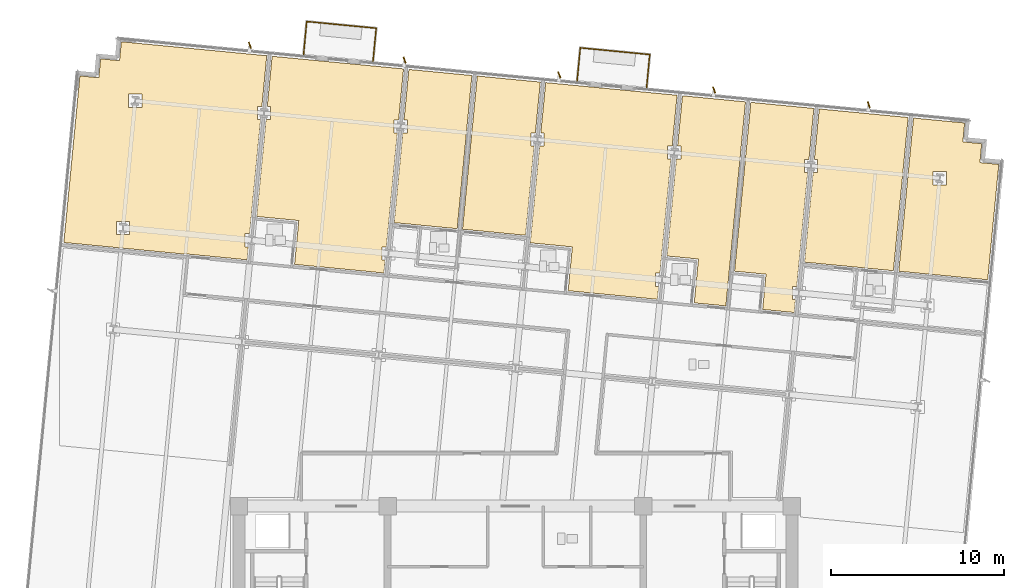
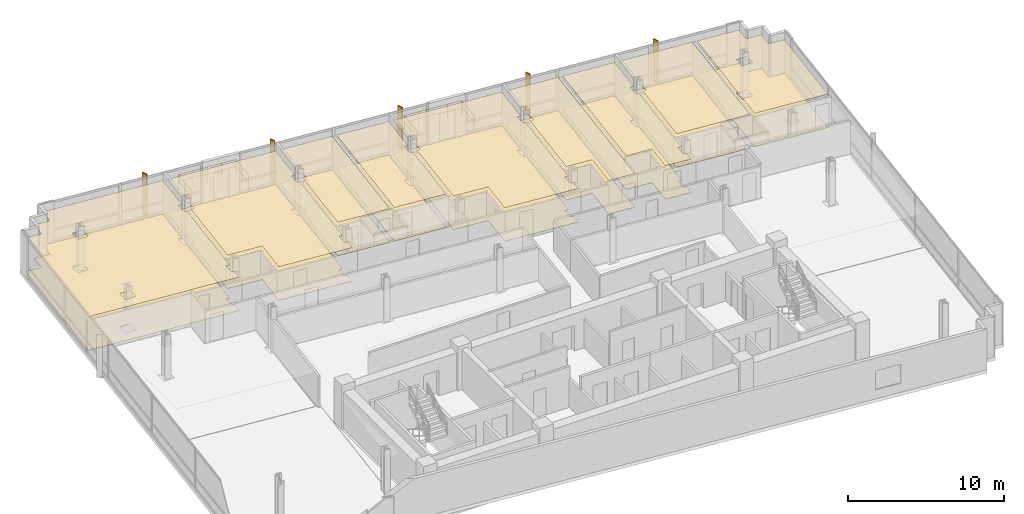
# One storey, part 16 of 17: 18 coverings, 6 railings, 5 shading devices.
"""IFC4 building model written with IfcOpenShell, lengths in metres."""

import ifcopenshell
import ifcopenshell.guid

model = None  # the IFC model being written
_history = None  # IfcOwnerHistory: only IFC2X3 demands one
_inside = {}  # id of a spatial element -> (the spatial element, [elements in it])
_under = {}  # id of a project, library or spatial element -> (it, [spatial elements below it])
_declared = {}  # id of a project -> (the project, [libraries it declares])
_typed = {}  # id of a type object -> (the type object, [elements of that type])
_made_of = {}  # id of a material, layer set ... -> (it, [elements and type objects made of it])


def new_model(schema):
    """Start an empty IFC model of exactly this schema.

    Asked for "IFC4X3", IfcOpenShell would pick the latest addendum, in which some entities
    have other attributes; the version numbers below select the first issue.
    IFC2X3 requires an IfcOwnerHistory on every rooted entity: one is made here for all.
    """
    global model, _history
    if schema == "IFC4X3":
        model = ifcopenshell.file(schema_version=(4, 3, 0, 0))
    else:
        model = ifcopenshell.file(schema=schema)
    _inside.clear()
    _under.clear()
    _declared.clear()
    _typed.clear()
    _made_of.clear()
    _history = None
    if model.schema == "IFC2X3":
        org = make("IfcOrganization", Name="unknown")
        user = make(
            "IfcPersonAndOrganization",
            ThePerson=make("IfcPerson", FamilyName="unknown"),
            TheOrganization=org,
        )
        app = make(
            "IfcApplication",
            ApplicationDeveloper=org,
            Version="unknown",
            ApplicationFullName="unknown",
            ApplicationIdentifier="unknown",
        )
        _history = make(
            "IfcOwnerHistory",
            OwningUser=user,
            OwningApplication=app,
            ChangeAction="ADDED",
            CreationDate=0,
        )
    return model


def make(cls, **values):
    """One entity of the class cls with the attributes given. An attribute that is None is left unset."""
    return model.create_entity(
        cls, **{name: value for name, value in values.items() if value is not None}
    )


def rooted(cls, **values):
    """An entity with a GlobalId (a new one), such as an element, a storey or a relation."""
    return make(cls, GlobalId=ifcopenshell.guid.new(), OwnerHistory=_history, **values)


def si_unit(unit_type, name, prefix=None):
    """IfcSIUnit, for example si_unit("LENGTHUNIT", "METRE", prefix="MILLI")."""
    return make("IfcSIUnit", UnitType=unit_type, Prefix=prefix, Name=name)


def assignment(units):
    """IfcUnitAssignment: the units of a project."""
    return None if units is None else make("IfcUnitAssignment", Units=units)


def point(xyz):
    """IfcCartesianPoint."""
    return None if xyz is None else make("IfcCartesianPoint", Coordinates=xyz)


def direction(xyz):
    """IfcDirection."""
    return None if xyz is None else make("IfcDirection", DirectionRatios=xyz)


def frame(location, z_axis=None, x_axis=None):
    """IfcAxis2Placement3D, a coordinate frame: its origin and axes. An axis left out is left unset."""
    return make(
        "IfcAxis2Placement3D",
        Location=point(location),
        Axis=direction(z_axis),
        RefDirection=direction(x_axis),
    )


def frame_2d(location, x_axis=None):
    """IfcAxis2Placement2D, a coordinate frame in the plane: its origin and x axis."""
    return make(
        "IfcAxis2Placement2D", Location=point(location), RefDirection=direction(x_axis)
    )


def origin():
    """The frame at (0, 0, 0) with its axes left unset."""
    return frame((0.0, 0.0, 0.0))


def origin_2d():
    """The frame at (0, 0) in the plane with its x axis left unset."""
    return frame_2d((0.0, 0.0))


def place(relative_to, where):
    """IfcLocalPlacement: puts the frame where relative to a parent placement (None: the world)."""
    return make(
        "IfcLocalPlacement", PlacementRelTo=relative_to, RelativePlacement=where
    )


def context(
    kind, dimensions, precision=None, world=None, true_north=None, identifier=None
):
    """IfcGeometricRepresentationContext, for example the 3D "Model" context."""
    return make(
        "IfcGeometricRepresentationContext",
        ContextIdentifier=identifier,
        ContextType=kind,
        CoordinateSpaceDimension=dimensions,
        Precision=precision,
        WorldCoordinateSystem=world,
        TrueNorth=true_north,
    )


def subcontext(parent, identifier, kind, view, scale=None):
    """IfcGeometricRepresentationSubContext, for example "Body" below "Model"."""
    return make(
        "IfcGeometricRepresentationSubContext",
        ContextIdentifier=identifier,
        ContextType=kind,
        ParentContext=parent,
        TargetScale=scale,
        TargetView=view,
    )


def project(units=None, contexts=None):
    """IfcProject with its units and contexts."""
    return rooted(
        "IfcProject",
        Name="project",
        RepresentationContexts=contexts,
        UnitsInContext=assignment(units),
    )


def spatial(cls, under=None, at=None, **own):
    """A site, building, storey or space (cls), placed at a placement, below another one or the project."""
    s = rooted(cls, ObjectPlacement=at, **own)
    if under is not None:
        _under.setdefault(under.id(), (under, []))[1].append(s)
    return s


def polyline(points):
    """IfcPolyline through the points."""
    return make("IfcPolyline", Points=[point(p) for p in points])


def profile(cls, at=None, kind="AREA", **sizes):
    """A parametric profile (cls). Its sizes go by their IFC names, for example OverallWidth=200.0."""
    return make(cls, ProfileType=kind, Position=at, **sizes)


def rectangle(**sizes):
    """IfcRectangleProfileDef."""
    return profile("IfcRectangleProfileDef", **sizes)


def circle(**sizes):
    """IfcCircleProfileDef."""
    return profile("IfcCircleProfileDef", **sizes)


def outline(outer, holes=None, kind="AREA"):
    """IfcArbitraryClosedProfileDef: a profile drawn as a closed curve; with holes, ...WithVoids."""
    if holes is None:
        return make("IfcArbitraryClosedProfileDef", ProfileType=kind, OuterCurve=outer)
    return make(
        "IfcArbitraryProfileDefWithVoids",
        ProfileType=kind,
        OuterCurve=outer,
        InnerCurves=holes,
    )


def extrude(swept, where, along, depth):
    """IfcExtrudedAreaSolid: the profile swept, set in the frame where, extruded along a direction by depth."""
    return make(
        "IfcExtrudedAreaSolid",
        SweptArea=swept,
        Position=where,
        ExtrudedDirection=direction(along),
        Depth=depth,
    )


def shape(context_of_items, identifier, shape_type, items):
    """IfcShapeRepresentation: the items that make up one representation, for example the "Body"."""
    return make(
        "IfcShapeRepresentation",
        ContextOfItems=context_of_items,
        RepresentationIdentifier=identifier,
        RepresentationType=shape_type,
        Items=items,
    )


def material(Name=None, Category=None):
    """IfcMaterial."""
    return make("IfcMaterial", Name=Name, Category=Category)


def layer(
    of_material, thickness, ventilated=None, Name=None, Category=None, Priority=None
):
    """IfcMaterialLayer: one layer of a wall or slab, of a material (None: an air gap)."""
    return make(
        "IfcMaterialLayer",
        Material=of_material,
        LayerThickness=thickness,
        IsVentilated=ventilated,
        Name=Name,
        Category=Category,
        Priority=Priority,
    )


def layer_set(layers, Name=None):
    """IfcMaterialLayerSet."""
    return make("IfcMaterialLayerSet", MaterialLayers=layers, LayerSetName=Name)


def made_of(thing, what):
    """Note that an element or type object is made of a material, layer set ...; save() writes the relation."""
    if what is not None:
        _made_of.setdefault(what.id(), (what, []))[1].append(thing)
    return thing


def type_object(cls, material=None, **own):
    """A type object (cls), such as IfcWallType, which elements share."""
    return made_of(rooted(cls, **own), material)


def element(
    cls,
    number,
    at=None,
    inside=None,
    cuts=None,
    type_object=None,
    material=None,
    context=None,
    identifier="Body",
    shape_type=None,
    held_by="IfcProductDefinitionShape",
    body=None,
    shapes=None,
    **own,
):
    """One element of the class cls, such as IfcWall. Its Tag is "e" and its number.

    at: its placement. inside: the storey or other place that contains it. cuts: it is an
    opening in that element (IfcRelVoidsElement). A single representation is given by context,
    identifier, shape_type and body (its items); several are given by shapes. held_by: the class
    of the entity that holds the representations. save() writes the other relations.
    """
    e = rooted(cls, Tag="e%d" % number, ObjectPlacement=at, **own)
    if body is not None:
        shapes = [shape(context, identifier, shape_type, body)]
    if shapes is not None:
        e.Representation = make(held_by, Representations=shapes)
    if inside is not None:
        _inside.setdefault(inside.id(), (inside, []))[1].append(e)
    if cuts is not None:
        rooted(
            "IfcRelVoidsElement", RelatingBuildingElement=cuts, RelatedOpeningElement=e
        )
    if type_object is not None:
        _typed.setdefault(type_object.id(), (type_object, []))[1].append(e)
    return made_of(e, material)


def aggregate(whole, parts):
    """IfcRelAggregates: a whole, such as a stair, and the parts it consists of."""
    return rooted("IfcRelAggregates", RelatingObject=whole, RelatedObjects=parts)


def save(model, path):
    """Write the relations noted so far, then the file.

    IfcRelAggregates (storeys below a building ...), IfcRelContainedInSpatialStructure (elements
    in a storey), IfcRelDefinesByType, IfcRelAssociatesMaterial and IfcRelDeclares: one each for
    every whole, place, type object, material and project.
    """
    for whole, parts in _under.values():
        aggregate(whole, parts)
    for where, things in _inside.values():
        rooted(
            "IfcRelContainedInSpatialStructure",
            RelatedElements=things,
            RelatingStructure=where,
        )
    for kind, things in _typed.values():
        rooted("IfcRelDefinesByType", RelatedObjects=things, RelatingType=kind)
    for what, things in _made_of.values():
        rooted("IfcRelAssociatesMaterial", RelatedObjects=things, RelatingMaterial=what)
    for by, libraries in _declared.values():
        rooted("IfcRelDeclares", RelatingContext=by, RelatedDefinitions=libraries)
    model.write(path)


model = new_model("IFC4")

# Units and contexts
model_context = context("Model", 3, precision=1e-05, world=origin(), true_north=direction((0.0, 1.0)))
body_context = subcontext(model_context, "Body", "Model", "MODEL_VIEW")
ifc_project = project(units=[si_unit("LENGTHUNIT", "METRE"), si_unit("AREAUNIT", "SQUARE_METRE"), si_unit("VOLUMEUNIT", "CUBIC_METRE"), si_unit("PLANEANGLEUNIT", "RADIAN"), si_unit("MASSUNIT", "GRAM", prefix="KILO")], contexts=[model_context])

# Site, building, storey
site_placement = place(None, origin())
site = spatial("IfcSite", under=ifc_project, at=site_placement, CompositionType="ELEMENT")
building_placement = place(site_placement, origin())
building = spatial("IfcBuilding", under=site, at=building_placement, Name="Solmavex Isthmus Hotel", CompositionType="ELEMENT")
storey_placement = place(building_placement, frame((0.0, 0.0, 146.25)))
storey = spatial("IfcBuildingStorey", under=building, at=storey_placement, Name="L39", CompositionType="ELEMENT", Elevation=146.25)

# Coverings
ifc_material_1 = material(Name="Gypsum plasterboard lining", Category="gypsum")
ifc_layer_1 = layer(ifc_material_1, 0.030029296875)
ifc_layer_set_1 = layer_set([ifc_layer_1], Name="Gypsum plasterboard lining")
covering_type_1 = type_object("IfcCoveringType", Name="COV-CEIL-GYP", PredefinedType="CEILING", material=ifc_layer_set_1)
covering_1_placement = place(storey_placement, frame((0.0, 0.0, 2.6201171875)))
element("IfcCovering", 1, at=covering_1_placement, inside=storey, type_object=covering_type_1, Name="Suspended Acoustic Ceiling L39-RM01", PredefinedType="CEILING", context=body_context, shape_type="SweptSolid", body=[
    extrude(outline(polyline([(-19.121337890625, 12.088623046875), (-19.119384765625, 12.1083984375), (-15.535888671875, 11.763427734375), (-15.463623046875, 12.51611328125), (-15.651123046875, 12.51611328125), (-15.651123046875, 13.276123046875), (-15.390380859375, 13.276123046875), (-14.755126953125, 19.874267578125), (-14.942626953125, 19.874267578125), (-14.942626953125, 20.63427734375), (-14.681884765625, 20.63427734375), (-14.3984375, 23.578857421875), (-21.99609375, 24.310302734375), (-22.8173828125, 24.389404296875), (-22.9228515625, 23.29443359375), (-24.017822265625, 23.39990234375), (-24.123291015625, 22.304931640625), (-25.218017578125, 22.410400390625), (-25.297119140625, 21.589111328125), (-26.14697265625, 12.764892578125), (-19.121337890625, 12.088623046875)]), holes=[polyline([(-22.396240234375, 20.591796875), (-22.396240234375, 21.351806640625), (-21.63623046875, 21.351806640625), (-21.63623046875, 20.591796875), (-22.396240234375, 20.591796875)]), polyline([(-23.104736328125, 13.23388671875), (-23.104736328125, 13.993896484375), (-22.3447265625, 13.993896484375), (-22.3447265625, 13.23388671875), (-23.104736328125, 13.23388671875)])]), origin(), (0.0, 0.0, 1.0), 0.02978515625),
])
covering_2_placement = place(storey_placement, frame((0.0, 0.0, 2.6201171875)))
element("IfcCovering", 2, at=covering_2_placement, inside=storey, type_object=covering_type_1, Name="Suspended Acoustic Ceiling L39-RM02", PredefinedType="CEILING", context=body_context, shape_type="SweptSolid", body=[
    extrude(outline(polyline([(-14.370361328125, 20.63427734375), (-14.1826171875, 20.63427734375), (-14.1826171875, 19.874267578125), (-14.443603515625, 19.874267578125), (-14.98291015625, 14.27197265625), (-12.544189453125, 14.037109375), (-12.788818359375, 11.498779296875), (-7.61669921875, 11.000732421875), (-7.544189453125, 11.753662109375), (-7.73193359375, 11.753662109375), (-7.73193359375, 12.513671875), (-7.470947265625, 12.513671875), (-6.835693359375, 19.111572265625), (-7.0234375, 19.111572265625), (-7.0234375, 19.87158203125), (-6.762451171875, 19.87158203125), (-6.47900390625, 22.816162109375), (-14.08984375, 23.549072265625), (-14.370361328125, 20.63427734375)])), origin(), (0.0, 0.0, 1.0), 0.02978515625),
])
covering_3_placement = place(storey_placement, frame((0.0, 0.0, 2.6201171875)))
element("IfcCovering", 3, at=covering_3_placement, inside=storey, type_object=covering_type_1, Name="Suspended Acoustic Ceiling L39-TB03", PredefinedType="CEILING", context=body_context, shape_type="SweptSolid", body=[
    extrude(outline(polyline([(-6.450927734375, 19.87158203125), (-6.263427734375, 19.87158203125), (-6.263427734375, 19.111572265625), (-6.524169921875, 19.111572265625), (-7.0146484375, 14.017822265625), (-7.024658203125, 13.91552734375), (-3.37353515625, 13.56396484375), (-2.519287109375, 22.434814453125), (-6.17041015625, 22.786376953125), (-6.450927734375, 19.87158203125)])), origin(), (0.0, 0.0, 1.0), 0.02978515625),
])
covering_4_placement = place(storey_placement, frame((0.0, 0.0, 2.6201171875)))
element("IfcCovering", 4, at=covering_4_placement, inside=storey, type_object=covering_type_1, Name="Suspended Acoustic Ceiling L39-TL03", PredefinedType="CEILING", context=body_context, shape_type="SweptSolid", body=[
    extrude(outline(polyline([(1.083740234375, 18.34912109375), (0.89599609375, 18.34912109375), (0.89599609375, 19.109130859375), (1.156982421875, 19.109130859375), (1.4404296875, 22.0537109375), (-2.210693359375, 22.4052734375), (-3.06494140625, 13.5341796875), (0.586181640625, 13.1826171875), (1.083740234375, 18.34912109375)])), origin(), (0.0, 0.0, 1.0), 0.02978515625),
])
covering_5_placement = place(storey_placement, frame((0.0, 0.0, 2.6201171875)))
element("IfcCovering", 5, at=covering_5_placement, inside=storey, type_object=covering_type_1, Name="Suspended Acoustic Ceiling L39-RM04", PredefinedType="CEILING", context=body_context, shape_type="SweptSolid", body=[
    extrude(outline(polyline([(1.46826171875, 19.109130859375), (1.656005859375, 19.109130859375), (1.656005859375, 18.34912109375), (1.395263671875, 18.34912109375), (0.855712890625, 12.746826171875), (3.29443359375, 12.511962890625), (3.050048828125, 9.973876953125), (4.7333984375, 9.811767578125), (5.606201171875, 9.7275390625), (8.22216796875, 9.475830078125), (8.294677734375, 10.228515625), (8.10693359375, 10.228515625), (8.10693359375, 10.988525390625), (8.36767578125, 10.988525390625), (9.003173828125, 17.586669921875), (8.8154296875, 17.586669921875), (8.8154296875, 18.346435546875), (9.076171875, 18.346435546875), (9.35986328125, 21.291015625), (1.7490234375, 22.02392578125), (1.46826171875, 19.109130859375)])), origin(), (0.0, 0.0, 1.0), 0.02978515625),
])
covering_6_placement = place(storey_placement, frame((0.0, 0.0, 2.6201171875)))
element("IfcCovering", 6, at=covering_6_placement, inside=storey, type_object=covering_type_1, Name="Suspended Acoustic Ceiling L39-RM05", PredefinedType="CEILING", context=body_context, shape_type="SweptSolid", body=[
    extrude(outline(polyline([(9.3876953125, 18.346435546875), (9.575439453125, 18.346435546875), (9.575439453125, 17.586669921875), (9.314453125, 17.586669921875), (8.775146484375, 11.984375), (10.596435546875, 11.808837890625), (10.35205078125, 9.270751953125), (12.181884765625, 9.094482421875), (13.319580078125, 20.909912109375), (9.66845703125, 21.261474609375), (9.3876953125, 18.346435546875)])), origin(), (0.0, 0.0, 1.0), 0.02978515625),
])
covering_7_placement = place(storey_placement, frame((0.0, 0.0, 2.6201171875)))
element("IfcCovering", 7, at=covering_7_placement, inside=storey, type_object=covering_type_1, Name="Suspended Acoustic Ceiling L39-RM06", PredefinedType="CEILING", context=body_context, shape_type="SweptSolid", body=[
    extrude(outline(polyline([(16.92236328125, 16.823974609375), (16.73486328125, 16.823974609375), (16.73486328125, 17.583984375), (16.99560546875, 17.583984375), (17.279052734375, 20.528564453125), (13.628173828125, 20.880126953125), (12.686767578125, 11.105224609375), (14.50830078125, 10.929931640625), (14.311767578125, 8.889404296875), (16.1416015625, 8.713134765625), (16.2138671875, 9.466064453125), (16.0263671875, 9.466064453125), (16.0263671875, 10.22607421875), (16.287109375, 10.22607421875), (16.92236328125, 16.823974609375)])), origin(), (0.0, 0.0, 1.0), 0.02978515625),
])
covering_8_placement = place(storey_placement, frame((0.0, 0.0, 2.6201171875)))
element("IfcCovering", 8, at=covering_8_placement, inside=storey, type_object=covering_type_1, Name="Suspended Acoustic Ceiling L39-TB07", PredefinedType="CEILING", context=body_context, shape_type="SweptSolid", body=[
    extrude(outline(polyline([(17.30712890625, 17.583984375), (17.494873046875, 17.583984375), (17.494873046875, 16.823974609375), (17.23388671875, 16.823974609375), (17.139404296875, 15.841552734375), (16.733642578125, 11.6279296875), (21.8837890625, 11.132080078125), (22.738037109375, 20.0029296875), (17.587646484375, 20.498779296875), (17.30712890625, 17.583984375)])), origin(), (0.0, 0.0, 1.0), 0.02978515625),
])
covering_9_placement = place(storey_placement, frame((0.0, 0.0, 2.6201171875)))
element("IfcCovering", 9, at=covering_9_placement, inside=storey, type_object=covering_type_1, Name="Suspended Acoustic Ceiling L39-TL07", PredefinedType="CEILING", context=body_context, shape_type="SweptSolid", body=[
    extrude(outline(polyline([(26.0068359375, 19.688232421875), (25.185546875, 19.767333984375), (23.04638671875, 19.97314453125), (22.1923828125, 11.102294921875), (27.342529296875, 10.6064453125), (27.90673828125, 16.46630859375), (27.98583984375, 17.287353515625), (26.890869140625, 17.392822265625), (26.996337890625, 18.48779296875), (25.9013671875, 18.59326171875), (26.0068359375, 19.688232421875)]), holes=[polyline([(24.188232421875, 16.106201171875), (24.188232421875, 16.8662109375), (24.9482421875, 16.8662109375), (24.9482421875, 16.106201171875), (24.188232421875, 16.106201171875)])]), origin(), (0.0, 0.0, 1.0), 0.02978515625),
])
ifc_material_2 = material(Name="Travertine natural stone", Category="masonry")
ifc_layer_2 = layer(ifc_material_2, 0.02490234375)
ifc_layer_set_2 = layer_set([ifc_layer_2], Name="Travertine natural stone")
covering_type_2 = type_object("IfcCoveringType", Name="COV-FLOR-STN", PredefinedType="FLOORING", material=ifc_layer_set_2)
covering_10_placement = place(storey_placement, origin())
element("IfcCovering", 10, at=covering_10_placement, inside=storey, type_object=covering_type_2, Name="Stone and Timber Floor Finish L39-RM01", PredefinedType="FLOORING", context=body_context, shape_type="SweptSolid", body=[
    extrude(outline(polyline([(-19.121337890625, 12.088623046875), (-19.119384765625, 12.1083984375), (-15.535888671875, 11.763427734375), (-15.463623046875, 12.51611328125), (-15.651123046875, 12.51611328125), (-15.651123046875, 13.276123046875), (-15.390380859375, 13.276123046875), (-14.755126953125, 19.874267578125), (-14.942626953125, 19.874267578125), (-14.942626953125, 20.63427734375), (-14.681884765625, 20.63427734375), (-14.3984375, 23.578857421875), (-21.99609375, 24.310302734375), (-22.8173828125, 24.389404296875), (-22.9228515625, 23.29443359375), (-24.017822265625, 23.39990234375), (-24.123291015625, 22.304931640625), (-25.218017578125, 22.410400390625), (-25.297119140625, 21.589111328125), (-26.14697265625, 12.764892578125), (-19.121337890625, 12.088623046875)]), holes=[polyline([(-22.396240234375, 20.591796875), (-22.396240234375, 21.351806640625), (-21.63623046875, 21.351806640625), (-21.63623046875, 20.591796875), (-22.396240234375, 20.591796875)]), polyline([(-23.104736328125, 13.23388671875), (-23.104736328125, 13.993896484375), (-22.3447265625, 13.993896484375), (-22.3447265625, 13.23388671875), (-23.104736328125, 13.23388671875)])]), origin(), (0.0, 0.0, 1.0), 0.02490234375),
])
covering_11_placement = place(storey_placement, origin())
element("IfcCovering", 11, at=covering_11_placement, inside=storey, type_object=covering_type_2, Name="Stone and Timber Floor Finish L39-RM02", PredefinedType="FLOORING", context=body_context, shape_type="SweptSolid", body=[
    extrude(outline(polyline([(-14.370361328125, 20.63427734375), (-14.1826171875, 20.63427734375), (-14.1826171875, 19.874267578125), (-14.443603515625, 19.874267578125), (-14.98291015625, 14.27197265625), (-12.544189453125, 14.037109375), (-12.788818359375, 11.498779296875), (-7.61669921875, 11.000732421875), (-7.544189453125, 11.753662109375), (-7.73193359375, 11.753662109375), (-7.73193359375, 12.513671875), (-7.470947265625, 12.513671875), (-6.835693359375, 19.111572265625), (-7.0234375, 19.111572265625), (-7.0234375, 19.87158203125), (-6.762451171875, 19.87158203125), (-6.47900390625, 22.816162109375), (-14.08984375, 23.549072265625), (-14.370361328125, 20.63427734375)])), origin(), (0.0, 0.0, 1.0), 0.02490234375),
])
covering_12_placement = place(storey_placement, origin())
element("IfcCovering", 12, at=covering_12_placement, inside=storey, type_object=covering_type_2, Name="Stone and Timber Floor Finish L39-TB03", PredefinedType="FLOORING", context=body_context, shape_type="SweptSolid", body=[
    extrude(outline(polyline([(-6.450927734375, 19.87158203125), (-6.263427734375, 19.87158203125), (-6.263427734375, 19.111572265625), (-6.524169921875, 19.111572265625), (-7.0146484375, 14.017822265625), (-7.024658203125, 13.91552734375), (-3.37353515625, 13.56396484375), (-2.519287109375, 22.434814453125), (-6.17041015625, 22.786376953125), (-6.450927734375, 19.87158203125)])), origin(), (0.0, 0.0, 1.0), 0.02490234375),
])
covering_13_placement = place(storey_placement, origin())
element("IfcCovering", 13, at=covering_13_placement, inside=storey, type_object=covering_type_2, Name="Stone and Timber Floor Finish L39-TL03", PredefinedType="FLOORING", context=body_context, shape_type="SweptSolid", body=[
    extrude(outline(polyline([(1.083740234375, 18.34912109375), (0.89599609375, 18.34912109375), (0.89599609375, 19.109130859375), (1.156982421875, 19.109130859375), (1.4404296875, 22.0537109375), (-2.210693359375, 22.4052734375), (-3.06494140625, 13.5341796875), (0.586181640625, 13.1826171875), (1.083740234375, 18.34912109375)])), origin(), (0.0, 0.0, 1.0), 0.02490234375),
])
covering_14_placement = place(storey_placement, origin())
element("IfcCovering", 14, at=covering_14_placement, inside=storey, type_object=covering_type_2, Name="Stone and Timber Floor Finish L39-RM04", PredefinedType="FLOORING", context=body_context, shape_type="SweptSolid", body=[
    extrude(outline(polyline([(1.46826171875, 19.109130859375), (1.656005859375, 19.109130859375), (1.656005859375, 18.34912109375), (1.395263671875, 18.34912109375), (0.855712890625, 12.746826171875), (3.29443359375, 12.511962890625), (3.050048828125, 9.973876953125), (4.7333984375, 9.811767578125), (5.606201171875, 9.7275390625), (8.22216796875, 9.475830078125), (8.294677734375, 10.228515625), (8.10693359375, 10.228515625), (8.10693359375, 10.988525390625), (8.36767578125, 10.988525390625), (9.003173828125, 17.586669921875), (8.8154296875, 17.586669921875), (8.8154296875, 18.346435546875), (9.076171875, 18.346435546875), (9.35986328125, 21.291015625), (1.7490234375, 22.02392578125), (1.46826171875, 19.109130859375)])), origin(), (0.0, 0.0, 1.0), 0.02490234375),
])
covering_15_placement = place(storey_placement, origin())
element("IfcCovering", 15, at=covering_15_placement, inside=storey, type_object=covering_type_2, Name="Stone and Timber Floor Finish L39-RM05", PredefinedType="FLOORING", context=body_context, shape_type="SweptSolid", body=[
    extrude(outline(polyline([(9.3876953125, 18.346435546875), (9.575439453125, 18.346435546875), (9.575439453125, 17.586669921875), (9.314453125, 17.586669921875), (8.775146484375, 11.984375), (10.596435546875, 11.808837890625), (10.35205078125, 9.270751953125), (12.181884765625, 9.094482421875), (13.319580078125, 20.909912109375), (9.66845703125, 21.261474609375), (9.3876953125, 18.346435546875)])), origin(), (0.0, 0.0, 1.0), 0.02490234375),
])
covering_16_placement = place(storey_placement, origin())
element("IfcCovering", 16, at=covering_16_placement, inside=storey, type_object=covering_type_2, Name="Stone and Timber Floor Finish L39-RM06", PredefinedType="FLOORING", context=body_context, shape_type="SweptSolid", body=[
    extrude(outline(polyline([(16.92236328125, 16.823974609375), (16.73486328125, 16.823974609375), (16.73486328125, 17.583984375), (16.99560546875, 17.583984375), (17.279052734375, 20.528564453125), (13.628173828125, 20.880126953125), (12.686767578125, 11.105224609375), (14.50830078125, 10.929931640625), (14.311767578125, 8.889404296875), (16.1416015625, 8.713134765625), (16.2138671875, 9.466064453125), (16.0263671875, 9.466064453125), (16.0263671875, 10.22607421875), (16.287109375, 10.22607421875), (16.92236328125, 16.823974609375)])), origin(), (0.0, 0.0, 1.0), 0.02490234375),
])
covering_17_placement = place(storey_placement, origin())
element("IfcCovering", 17, at=covering_17_placement, inside=storey, type_object=covering_type_2, Name="Stone and Timber Floor Finish L39-TB07", PredefinedType="FLOORING", context=body_context, shape_type="SweptSolid", body=[
    extrude(outline(polyline([(17.30712890625, 17.583984375), (17.494873046875, 17.583984375), (17.494873046875, 16.823974609375), (17.23388671875, 16.823974609375), (17.139404296875, 15.841552734375), (16.733642578125, 11.6279296875), (21.8837890625, 11.132080078125), (22.738037109375, 20.0029296875), (17.587646484375, 20.498779296875), (17.30712890625, 17.583984375)])), origin(), (0.0, 0.0, 1.0), 0.02490234375),
])
covering_18_placement = place(storey_placement, origin())
element("IfcCovering", 18, at=covering_18_placement, inside=storey, type_object=covering_type_2, Name="Stone and Timber Floor Finish L39-TL07", PredefinedType="FLOORING", context=body_context, shape_type="SweptSolid", body=[
    extrude(outline(polyline([(26.0068359375, 19.688232421875), (25.185546875, 19.767333984375), (23.04638671875, 19.97314453125), (22.1923828125, 11.102294921875), (27.342529296875, 10.6064453125), (27.90673828125, 16.46630859375), (27.98583984375, 17.287353515625), (26.890869140625, 17.392822265625), (26.996337890625, 18.48779296875), (25.9013671875, 18.59326171875), (26.0068359375, 19.688232421875)]), holes=[polyline([(24.188232421875, 16.106201171875), (24.188232421875, 16.8662109375), (24.9482421875, 16.8662109375), (24.9482421875, 16.106201171875), (24.188232421875, 16.106201171875)])]), origin(), (0.0, 0.0, 1.0), 0.02490234375),
])

# Railings
ifc_material_3 = material(Name="Clear low-E laminated glass", Category="glass")
ifc_layer_3 = layer(ifc_material_3, 0.070068359375)
ifc_layer_set_3 = layer_set([ifc_layer_3], Name="Clear low-E laminated glass")
railing_type = type_object("IfcRailingType", Name="RAIL-GUARD-1100", PredefinedType="BALUSTRADE", material=ifc_layer_set_3)
railing_1_placement = place(storey_placement, frame((-12.268798828125, 23.64990234375, 0.0)))
element("IfcRailing", 19, at=railing_1_placement, inside=storey, type_object=railing_type, Name="Guardrail Balustrade L39-BAL1-01", PredefinedType="BALUSTRADE", context=body_context, shape_type="SweptSolid", body=[
    extrude(circle(Radius=0.02392578125, at=origin_2d()), frame((0.0, 0.0, 1.09619140625), z_axis=(0.095877165628, 0.995393173129, 0.0), x_axis=(-0.995393173129, 0.095877165628, 0.0)), (0.0, 0.0, 1.0), 1.919921875),
    extrude(circle(Radius=0.02392578125, at=origin_2d()), frame((0.0, 0.0, 0.56005859375), z_axis=(0.095877165628, 0.995393173129, 0.0), x_axis=(-0.995393173129, 0.095877165628, 0.0)), (0.0, 0.0, 1.0), 1.919921875),
    extrude(circle(Radius=0.02099609375, at=origin_2d()), origin(), (0.0, 0.0, 1.0), 1.072021484375),
    extrude(circle(Radius=0.02099609375, at=origin_2d()), frame((0.092041015625, 0.95556640625, 0.0)), (0.0, 0.0, 1.0), 1.072021484375),
    extrude(circle(Radius=0.02099609375, at=origin_2d()), frame((0.18408203125, 1.9111328125, 0.0)), (0.0, 0.0, 1.0), 1.072021484375),
])
railing_2_placement = place(storey_placement, frame((-12.084716796875, 25.56103515625, 0.0)))
element("IfcRailing", 20, at=railing_2_placement, inside=storey, type_object=railing_type, Name="Guardrail Balustrade L39-BAL1-02", PredefinedType="BALUSTRADE", context=body_context, shape_type="SweptSolid", body=[
    extrude(circle(Radius=0.02392578125, at=origin_2d()), frame((0.0, 0.0, 1.09619140625), z_axis=(0.995396620385, -0.095841369593, 0.0), x_axis=(0.095841369593, 0.995396620385, 0.0)), (0.0, 0.0, 1.0), 4.0400390625),
    extrude(circle(Radius=0.02392578125, at=origin_2d()), frame((0.0, 0.0, 0.56005859375), z_axis=(0.995396620385, -0.095841369593, 0.0), x_axis=(0.095841369593, 0.995396620385, 0.0)), (0.0, 0.0, 1.0), 4.0400390625),
    extrude(circle(Radius=0.02099609375, at=origin_2d()), origin(), (0.0, 0.0, 1.0), 1.072021484375),
    extrude(circle(Radius=0.02099609375, at=origin_2d()), frame((1.00537109375, -0.0966796875, 0.0)), (0.0, 0.0, 1.0), 1.072021484375),
    extrude(circle(Radius=0.02099609375, at=origin_2d()), frame((2.0107421875, -0.193603515625, 0.0)), (0.0, 0.0, 1.0), 1.072021484375),
    extrude(circle(Radius=0.02099609375, at=origin_2d()), frame((3.01611328125, -0.29052734375, 0.0)), (0.0, 0.0, 1.0), 1.072021484375),
    extrude(circle(Radius=0.02099609375, at=origin_2d()), frame((4.021484375, -0.38720703125, 0.0)), (0.0, 0.0, 1.0), 1.072021484375),
])
railing_3_placement = place(storey_placement, frame((-8.063232421875, 25.173828125, 0.0)))
element("IfcRailing", 21, at=railing_3_placement, inside=storey, type_object=railing_type, Name="Guardrail Balustrade L39-BAL1-03", PredefinedType="BALUSTRADE", context=body_context, shape_type="SweptSolid", body=[
    extrude(circle(Radius=0.02392578125, at=origin_2d()), frame((0.0, 0.0, 1.09619140625), z_axis=(-0.095877165628, -0.995393173129, 0.0), x_axis=(0.995393173129, -0.095877165628, 0.0)), (0.0, 0.0, 1.0), 1.919921875),
    extrude(circle(Radius=0.02392578125, at=origin_2d()), frame((0.0, 0.0, 0.56005859375), z_axis=(-0.095877165628, -0.995393173129, 0.0), x_axis=(0.995393173129, -0.095877165628, 0.0)), (0.0, 0.0, 1.0), 1.919921875),
    extrude(circle(Radius=0.02099609375, at=origin_2d()), origin(), (0.0, 0.0, 1.0), 1.072021484375),
    extrude(circle(Radius=0.02099609375, at=origin_2d()), frame((-0.092041015625, -0.95556640625, 0.0)), (0.0, 0.0, 1.0), 1.072021484375),
    extrude(circle(Radius=0.02099609375, at=origin_2d()), frame((-0.18408203125, -1.9111328125, 0.0)), (0.0, 0.0, 1.0), 1.072021484375),
])
railing_4_placement = place(storey_placement, frame((3.570068359375, 22.124755859375, 0.0)))
element("IfcRailing", 22, at=railing_4_placement, inside=storey, type_object=railing_type, Name="Guardrail Balustrade L39-BAL2-01", PredefinedType="BALUSTRADE", context=body_context, shape_type="SweptSolid", body=[
    extrude(circle(Radius=0.02392578125, at=origin_2d()), frame((0.0, 0.0, 1.09619140625), z_axis=(0.095865031769, 0.995394341798, 0.0), x_axis=(-0.995394341798, 0.095865031769, 0.0)), (0.0, 0.0, 1.0), 1.920166015625),
    extrude(circle(Radius=0.02392578125, at=origin_2d()), frame((0.0, 0.0, 0.56005859375), z_axis=(0.095865031769, 0.995394341798, 0.0), x_axis=(-0.995394341798, 0.095865031769, 0.0)), (0.0, 0.0, 1.0), 1.920166015625),
    extrude(circle(Radius=0.02099609375, at=origin_2d()), origin(), (0.0, 0.0, 1.0), 1.072021484375),
    extrude(circle(Radius=0.02099609375, at=origin_2d()), frame((0.092041015625, 0.95556640625, 0.0)), (0.0, 0.0, 1.0), 1.072021484375),
    extrude(circle(Radius=0.02099609375, at=origin_2d()), frame((0.18408203125, 1.911376953125, 0.0)), (0.0, 0.0, 1.0), 1.072021484375),
])
railing_5_placement = place(storey_placement, frame((3.754150390625, 24.0361328125, 0.0)))
element("IfcRailing", 23, at=railing_5_placement, inside=storey, type_object=railing_type, Name="Guardrail Balustrade L39-BAL2-02", PredefinedType="BALUSTRADE", context=body_context, shape_type="SweptSolid", body=[
    extrude(circle(Radius=0.02392578125, at=origin_2d()), frame((0.0, 0.0, 1.09619140625), z_axis=(0.995396065255, -0.095847134934, 0.0), x_axis=(0.095847134934, 0.995396065255, 0.0)), (0.0, 0.0, 1.0), 4.039794921875),
    extrude(circle(Radius=0.02392578125, at=origin_2d()), frame((0.0, 0.0, 0.56005859375), z_axis=(0.995396065255, -0.095847134934, 0.0), x_axis=(0.095847134934, 0.995396065255, 0.0)), (0.0, 0.0, 1.0), 4.039794921875),
    extrude(circle(Radius=0.02099609375, at=origin_2d()), origin(), (0.0, 0.0, 1.0), 1.072021484375),
    extrude(circle(Radius=0.02099609375, at=origin_2d()), frame((1.00537109375, -0.0966796875, 0.0)), (0.0, 0.0, 1.0), 1.072021484375),
    extrude(circle(Radius=0.02099609375, at=origin_2d()), frame((2.0107421875, -0.193603515625, 0.0)), (0.0, 0.0, 1.0), 1.072021484375),
    extrude(circle(Radius=0.02099609375, at=origin_2d()), frame((3.015869140625, -0.29052734375, 0.0)), (0.0, 0.0, 1.0), 1.072021484375),
    extrude(circle(Radius=0.02099609375, at=origin_2d()), frame((4.021240234375, -0.38720703125, 0.0)), (0.0, 0.0, 1.0), 1.072021484375),
])
railing_6_placement = place(storey_placement, frame((7.775390625, 23.64892578125, 0.0)))
element("IfcRailing", 24, at=railing_6_placement, inside=storey, type_object=railing_type, Name="Guardrail Balustrade L39-BAL2-03", PredefinedType="BALUSTRADE", context=body_context, shape_type="SweptSolid", body=[
    extrude(circle(Radius=0.02392578125, at=origin_2d()), frame((0.0, 0.0, 1.09619140625), z_axis=(-0.095739055962, -0.995406466306, 0.0), x_axis=(0.995406466306, -0.095739055962, 0.0)), (0.0, 0.0, 1.0), 1.920166015625),
    extrude(circle(Radius=0.02392578125, at=origin_2d()), frame((0.0, 0.0, 0.56005859375), z_axis=(-0.095739055962, -0.995406466306, 0.0), x_axis=(0.995406466306, -0.095739055962, 0.0)), (0.0, 0.0, 1.0), 1.920166015625),
    extrude(circle(Radius=0.02099609375, at=origin_2d()), origin(), (0.0, 0.0, 1.0), 1.072021484375),
    extrude(circle(Radius=0.02099609375, at=origin_2d()), frame((-0.091796875, -0.95556640625, 0.0)), (0.0, 0.0, 1.0), 1.072021484375),
    extrude(circle(Radius=0.02099609375, at=origin_2d()), frame((-0.183837890625, -1.911376953125, 0.0)), (0.0, 0.0, 1.0), 1.072021484375),
])

# Shading devices
ifc_material_4 = material(Name="Aluminium alloy 6063-T6", Category="aluminium")
shading_device_type = type_object("IfcShadingDeviceType", Name="SHD-FIN-CHAMP", PredefinedType="USERDEFINED", material=ifc_material_4)
for number, where, z_axis, x_axis, name in (
    (25, (-15.377197265625, 24.1904296875, -0.14013671875), (0.0, 0.0, 1.0), (-0.350207381259, 0.936672189248, 0.0), "Anodised Aluminium Solar Fin L39-N1"),
    (26, (-6.418701171875, 23.327880859375, -0.14013671875), (0.0, 0.0, 1.0), (-0.350207381259, 0.936672189248, 0.0), "Anodised Aluminium Solar Fin L39-N2"),
    (27, (2.5400390625, 22.465087890625, -0.14013671875), (0.0, 0.0, 1.0), (-0.350207381259, 0.936672189248, 0.0), "Anodised Aluminium Solar Fin L39-N3"),
    (28, (11.49853515625, 21.6025390625, -0.14013671875), (0.0, 0.0, 1.0), (-0.350207381259, 0.936672189248, 0.0), "Anodised Aluminium Solar Fin L39-N4"),
    (29, (20.45703125, 20.739990234375, -0.14013671875), (0.0, 0.0, 1.0), (-0.350207381259, 0.936672189248, 0.0), "Anodised Aluminium Solar Fin L39-N5"),
):
    element("IfcShadingDevice", number, at=place(storey_placement, frame(where, z_axis=z_axis, x_axis=x_axis)), inside=storey, type_object=shading_device_type, Name=name, ObjectType="SOLAR_FIN", PredefinedType="USERDEFINED", context=body_context, shape_type="SweptSolid", body=[
        extrude(rectangle(XDim=0.3798828125, YDim=0.070068359375, at=origin_2d()), origin(), (0.0, 0.0, 1.0), 3.330078125),
    ])

save(model, "model.ifc")
